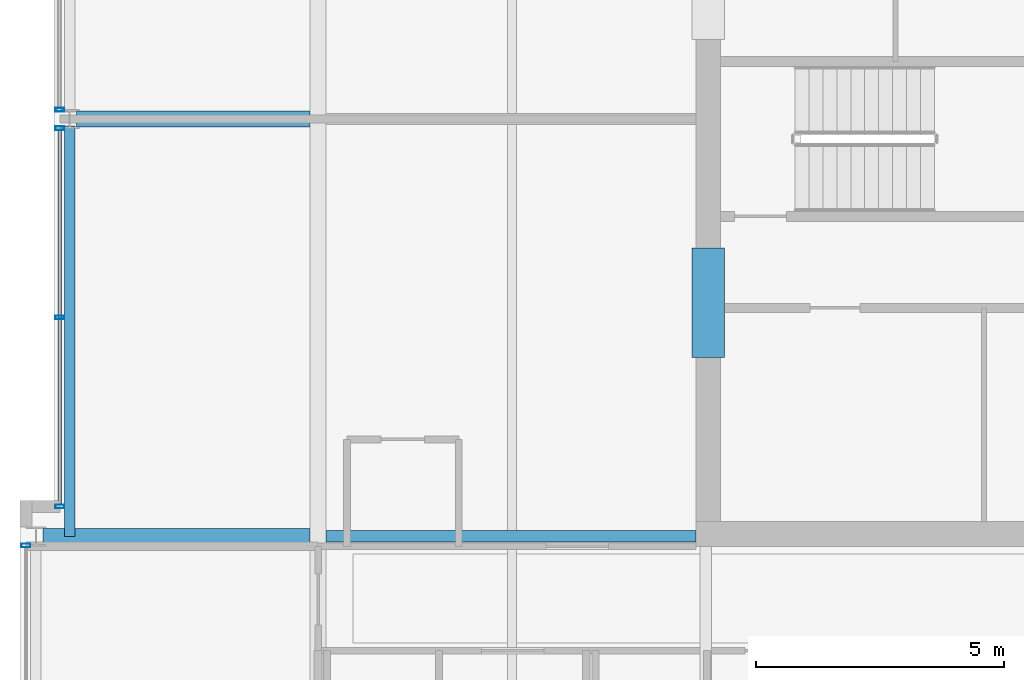
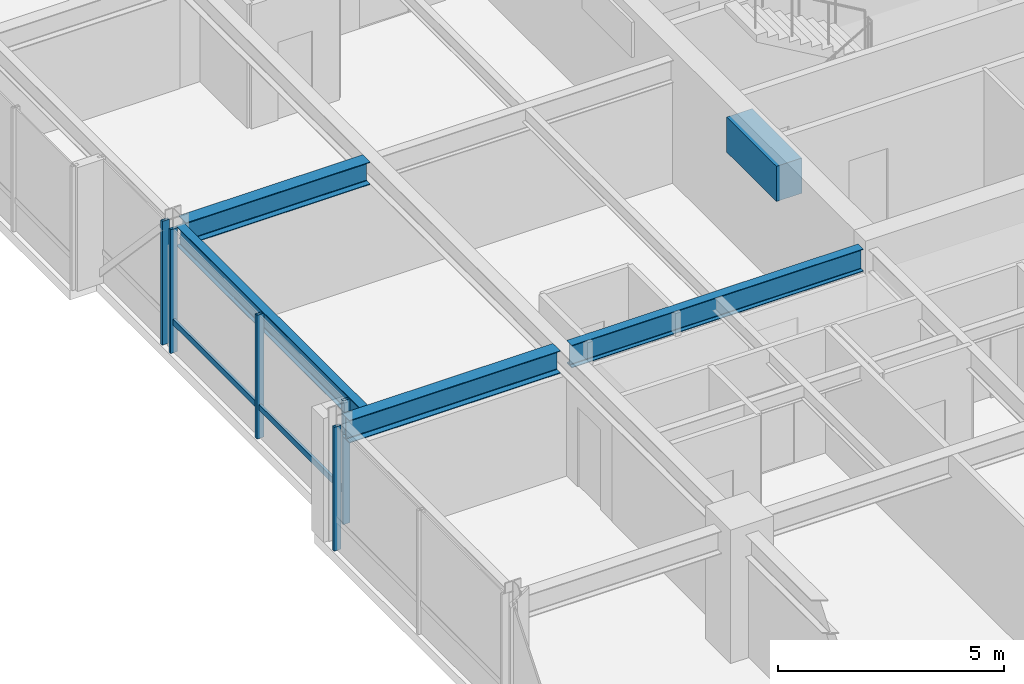
# One storey, part 8 of 33: 6 members, 5 beams, 3 elements without a shape of their own.
"""IFC4 building model written with IfcOpenShell, lengths in metres."""

from ifc_helpers import new_model, si_unit, direction, frame, origin, origin_2d, place, context, subcontext, project, spatial, rectangle, hollow_rectangle, i_section, extrude, material, layer, layer_set, material_profile, profile_set, type_object, element, aggregate, save


model = new_model("IFC4")

# Units and contexts
model_context = context("Model", 3, precision=1e-05, world=origin(), true_north=direction((0.0, 1.0)))
body_context = subcontext(model_context, "Body", "Model", "MODEL_VIEW")
ifc_project = project(units=[si_unit("LENGTHUNIT", "METRE"), si_unit("AREAUNIT", "SQUARE_METRE"), si_unit("VOLUMEUNIT", "CUBIC_METRE"), si_unit("PLANEANGLEUNIT", "RADIAN"), si_unit("MASSUNIT", "GRAM", prefix="KILO")], contexts=[model_context])

# Site, building, storey
site_placement = place(None, origin())
site = spatial("IfcSite", under=ifc_project, at=site_placement, CompositionType="ELEMENT")
building_placement = place(site_placement, origin())
building = spatial("IfcBuilding", under=site, at=building_placement, Name="Drelvath Grand Hotel", CompositionType="ELEMENT")
storey_placement = place(building_placement, frame((0.0, 0.0, 212.300048828125)))
storey = spatial("IfcBuildingStorey", under=building, at=storey_placement, Name="L55", CompositionType="ELEMENT", Elevation=212.300048828125)

# Beam
ifc_material_1 = material(Name="Concrete f'c 55 MPa", Category="concrete")
ifc_material_profile_1 = material_profile(ifc_material_1, rectangle(XDim=0.64990234375, YDim=0.949951171875, at=origin_2d()), Name="CB650X950")
ifc_profile_set_1 = profile_set([ifc_material_profile_1], Name="Concrete f'c 55 MPa")
beam_type_1 = type_object("IfcBeamType", Name="Core Coupling Lintel CB650X950", PredefinedType="LINTEL", material=ifc_profile_set_1)
beam_1_placement = place(storey_placement, frame((-8.35009765625, 22.199951171875, 2.864990234375), z_axis=(0.0, 1.0, 0.0), x_axis=(-1.0, 0.0, 0.0)))
element("IfcBeam", 1, at=beam_1_placement, inside=storey, type_object=beam_type_1, Name="L55 Core Coupling Lintel WS", PredefinedType="LINTEL", context=body_context, shape_type="SweptSolid", body=[
    extrude(rectangle(XDim=0.64990234375, YDim=0.949951171875, at=origin_2d()), origin(), (0.0, 0.0, 1.0), 2.199951171875),
])

# Curtain wall, member
ifc_material_2 = material(Name="Platinum-Mist Anodised Aluminium Frame", Category="aluminium")
ifc_layer = layer(ifc_material_2, 0.199951171875)
ifc_layer_set = layer_set([ifc_layer], Name="Platinum-Mist Anodised Aluminium Frame")
curtain_wall_type = type_object("IfcCurtainWallType", Name="Stick Curtain Wall CW-05 Platinum Mist High-Rise", PredefinedType="NOTDEFINED", material=ifc_layer_set)
curtain_wall_1_placement = place(storey_placement, origin())
curtain_wall_1 = element("IfcCurtainWall", 2, at=curtain_wall_1_placement, inside=storey, type_object=curtain_wall_type, Name="L55 CW-05 Curtain Wall CW05-L55-WM1", PredefinedType="NOTDEFINED")
ifc_material_profile_2 = material_profile(ifc_material_2, hollow_rectangle(XDim=0.06494140625, YDim=0.159912109375, WallThickness=0.00390625, at=origin_2d()), Name="HSS160X65X4")
ifc_profile_set_2 = profile_set([ifc_material_profile_2], Name="Platinum-Mist Anodised Aluminium Frame")
member_type_1 = type_object("IfcMemberType", Name="Curtain Wall Horizontal Transom CW-05 HSS160X65X4", PredefinedType="USERDEFINED", material=ifc_profile_set_2)
member_1_placement = place(storey_placement, frame((-21.39990234375, 19.239990234375, 0.8349609375), z_axis=(0.0, 1.0, 0.0), x_axis=(-1.0, 0.0, 0.0)))
member_1 = element("IfcMember", 3, at=member_1_placement, type_object=member_type_1, Name="CW05-L55-WM1 Sill Transom", ObjectType="TRANSOM", PredefinedType="USERDEFINED", context=body_context, shape_type="SweptSolid", body=[
    extrude(hollow_rectangle(XDim=0.06494140625, YDim=0.159912109375, WallThickness=0.00390625, at=origin_2d()), origin(), (0.0, 0.0, 1.0), 7.53466796875),
])

curtain_wall_2_placement = place(storey_placement, origin())
curtain_wall_2 = element("IfcCurtainWall", 4, at=curtain_wall_2_placement, inside=storey, type_object=curtain_wall_type, Name="L55 CW-05 Curtain Wall CW05-L55-WS2", PredefinedType="NOTDEFINED")
ifc_material_profile_3 = material_profile(ifc_material_2, hollow_rectangle(XDim=0.074951171875, YDim=0.179931640625, WallThickness=0.0048828125, at=origin_2d()), Name="HSS180X75X5")
ifc_profile_set_3 = profile_set([ifc_material_profile_3], Name="Platinum-Mist Anodised Aluminium Frame")
member_type_2 = type_object("IfcMemberType", Name="Curtain Wall Vertical Mullion CW-05 HSS180X75X5", PredefinedType="MULLION", material=ifc_profile_set_3)
member_2_placement = place(storey_placement, frame((-22.080078125, 18.414794921875, 0.0), z_axis=(0.0, 0.0, 1.0), x_axis=(0.0, 1.0, 0.0)))
member_2 = element("IfcMember", 5, at=member_2_placement, type_object=member_type_2, Name="CW05-L55-WS2 Mullion 3", PredefinedType="MULLION", context=body_context, shape_type="SweptSolid", body=[
    extrude(hollow_rectangle(XDim=0.074951171875, YDim=0.179931640625, WallThickness=0.0048828125, at=origin_2d()), origin(), (0.0, 0.0, 1.0), 3.33984375),
])
aggregate(curtain_wall_2, [member_2])

# Member
member_3_placement = place(storey_placement, frame((-21.39990234375, 19.199951171875, 0.0), z_axis=(0.0, 0.0, 1.0), x_axis=(0.0, 1.0, 0.0)))
member_3 = element("IfcMember", 6, at=member_3_placement, type_object=member_type_2, Name="CW05-L55-WM1 Mullion 1", PredefinedType="MULLION", context=body_context, shape_type="SweptSolid", body=[
    extrude(hollow_rectangle(XDim=0.074951171875, YDim=0.179931640625, WallThickness=0.0048828125, at=origin_2d()), origin(), (0.0, 0.0, 1.0), 3.33984375),
])

member_4_placement = place(storey_placement, frame((-21.39990234375, 23.00732421875, 0.0), z_axis=(0.0, 0.0, 1.0), x_axis=(0.0, 1.0, 0.0)))
member_4 = element("IfcMember", 7, at=member_4_placement, type_object=member_type_2, Name="CW05-L55-WM1 Mullion 2", PredefinedType="MULLION", context=body_context, shape_type="SweptSolid", body=[
    extrude(hollow_rectangle(XDim=0.074951171875, YDim=0.179931640625, WallThickness=0.0048828125, at=origin_2d()), origin(), (0.0, 0.0, 1.0), 3.33984375),
])

member_5_placement = place(storey_placement, frame((-21.39990234375, 26.814697265625, 0.0), z_axis=(0.0, 0.0, 1.0), x_axis=(0.0, 1.0, 0.0)))
member_5 = element("IfcMember", 8, at=member_5_placement, type_object=member_type_2, Name="CW05-L55-WM1 Mullion 3", PredefinedType="MULLION", context=body_context, shape_type="SweptSolid", body=[
    extrude(hollow_rectangle(XDim=0.074951171875, YDim=0.179931640625, WallThickness=0.0048828125, at=origin_2d()), origin(), (0.0, 0.0, 1.0), 3.33984375),
])

aggregate(curtain_wall_1, [member_3, member_4, member_5, member_1])

# Curtain wall, member
curtain_wall_3_placement = place(storey_placement, origin())
curtain_wall_3 = element("IfcCurtainWall", 9, at=curtain_wall_3_placement, inside=storey, type_object=curtain_wall_type, Name="L55 CW-05 Curtain Wall CW05-L55-WM2", PredefinedType="NOTDEFINED")
member_6_placement = place(storey_placement, frame((-21.39990234375, 27.185302734375, 0.0), z_axis=(0.0, 0.0, 1.0), x_axis=(0.0, 1.0, 0.0)))
member_6 = element("IfcMember", 10, at=member_6_placement, type_object=member_type_2, Name="CW05-L55-WM2 Mullion 1", PredefinedType="MULLION", context=body_context, shape_type="SweptSolid", body=[
    extrude(hollow_rectangle(XDim=0.074951171875, YDim=0.179931640625, WallThickness=0.0048828125, at=origin_2d()), origin(), (0.0, 0.0, 1.0), 3.33984375),
])
aggregate(curtain_wall_3, [member_6])

# Beams
ifc_material_3 = material(Name="Steel ASTM A992 Gr 50", Category="steel")
ifc_material_profile_4 = material_profile(ifc_material_3, i_section(OverallWidth=0.210205078125, OverallDepth=0.53662109375, WebThickness=0.010986328125, FlangeThickness=0.017333984375, FilletRadius=0.01806640625, at=origin_2d()), Name="W21X68")
ifc_profile_set_4 = profile_set([ifc_material_profile_4], Name="Steel ASTM A992 Gr 50")
beam_type_2 = type_object("IfcBeamType", Name="Perimeter Spandrel Beam W21X68", PredefinedType="SPANDREL", material=ifc_profile_set_4)
beam_2_placement = place(storey_placement, frame((-21.199951171875, 18.60009765625, 3.071533203125), z_axis=(0.0, 1.0, 0.0), x_axis=(-1.0, 0.0, 0.0)))
element("IfcBeam", 11, at=beam_2_placement, inside=storey, type_object=beam_type_2, Name="L55 Spandrel West Mid S", PredefinedType="SPANDREL", context=body_context, shape_type="SweptSolid", body=[
    extrude(i_section(OverallWidth=0.210205078125, OverallDepth=0.53662109375, WebThickness=0.010986328125, FlangeThickness=0.017333984375, FilletRadius=0.01806640625, at=origin_2d()), origin(), (0.0, 0.0, 1.0), 8.260009765625),
])
ifc_material_profile_5 = material_profile(ifc_material_3, i_section(OverallWidth=0.323974609375, OverallDepth=0.611083984375, WebThickness=0.0126953125, FlangeThickness=0.01904296875, FilletRadius=0.02197265625, at=origin_2d()), Name="W24X104")
ifc_profile_set_5 = profile_set([ifc_material_profile_5], Name="Steel ASTM A992 Gr 50")
beam_type_3 = type_object("IfcBeamType", Name="Primary Floor Girder W24X104", PredefinedType="BEAM", material=ifc_profile_set_5)
beam_3_placement = place(storey_placement, frame((-21.739990234375, 18.60009765625, 3.034423828125), z_axis=(1.0, 0.0, 0.0), x_axis=(0.0, 1.0, 0.0)))
element("IfcBeam", 12, at=beam_3_placement, inside=storey, type_object=beam_type_3, Name="L55 West Wing Girder D", PredefinedType="BEAM", context=body_context, shape_type="SweptSolid", body=[
    extrude(i_section(OverallWidth=0.323974609375, OverallDepth=0.611083984375, WebThickness=0.0126953125, FlangeThickness=0.01904296875, FilletRadius=0.02197265625, at=origin_2d()), origin(), (0.0, 0.0, 1.0), 5.3779296875),
])
beam_4_placement = place(storey_placement, frame((-21.06005859375, 27.0, 3.034423828125), z_axis=(1.0, 0.0, 0.0), x_axis=(0.0, 1.0, 0.0)))
element("IfcBeam", 13, at=beam_4_placement, inside=storey, type_object=beam_type_3, Name="L55 West Wing Girder E", PredefinedType="BEAM", context=body_context, shape_type="SweptSolid", body=[
    extrude(i_section(OverallWidth=0.323974609375, OverallDepth=0.611083984375, WebThickness=0.0126953125, FlangeThickness=0.01904296875, FilletRadius=0.02197265625, at=origin_2d()), origin(), (0.0, 0.0, 1.0), 4.697998046875),
])
ifc_material_profile_6 = material_profile(ifc_material_3, i_section(OverallWidth=0.228271484375, OverallDepth=0.607666015625, WebThickness=0.01123046875, FlangeThickness=0.017333984375, FilletRadius=0.02001953125, at=origin_2d()), Name="W24X76")
ifc_profile_set_6 = profile_set([ifc_material_profile_6], Name="Steel ASTM A992 Gr 50")
beam_type_4 = type_object("IfcBeamType", Name="Primary Floor Girder W24X76", PredefinedType="BEAM", material=ifc_profile_set_6)
beam_5_placement = place(storey_placement, frame((-16.0380859375, 18.60009765625, 3.0361328125), z_axis=(1.0, 0.0, 0.0), x_axis=(0.0, 1.0, 0.0)))
element("IfcBeam", 14, at=beam_5_placement, inside=storey, type_object=beam_type_4, Name="L55 West Core Tie D", PredefinedType="BEAM", context=body_context, shape_type="SweptSolid", body=[
    extrude(i_section(OverallWidth=0.228271484375, OverallDepth=0.607666015625, WebThickness=0.01123046875, FlangeThickness=0.017333984375, FilletRadius=0.02001953125, at=origin_2d()), origin(), (0.0, 0.0, 1.0), 7.43798828125),
])

save(model, "model.ifc")
